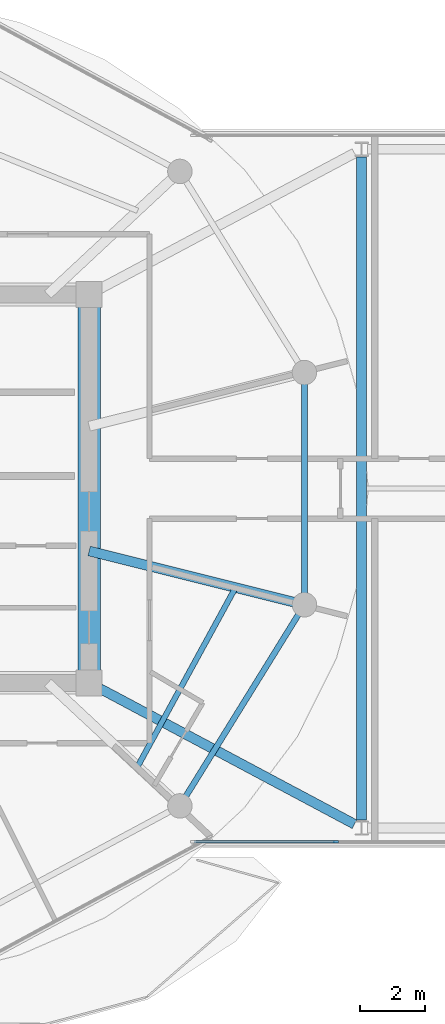
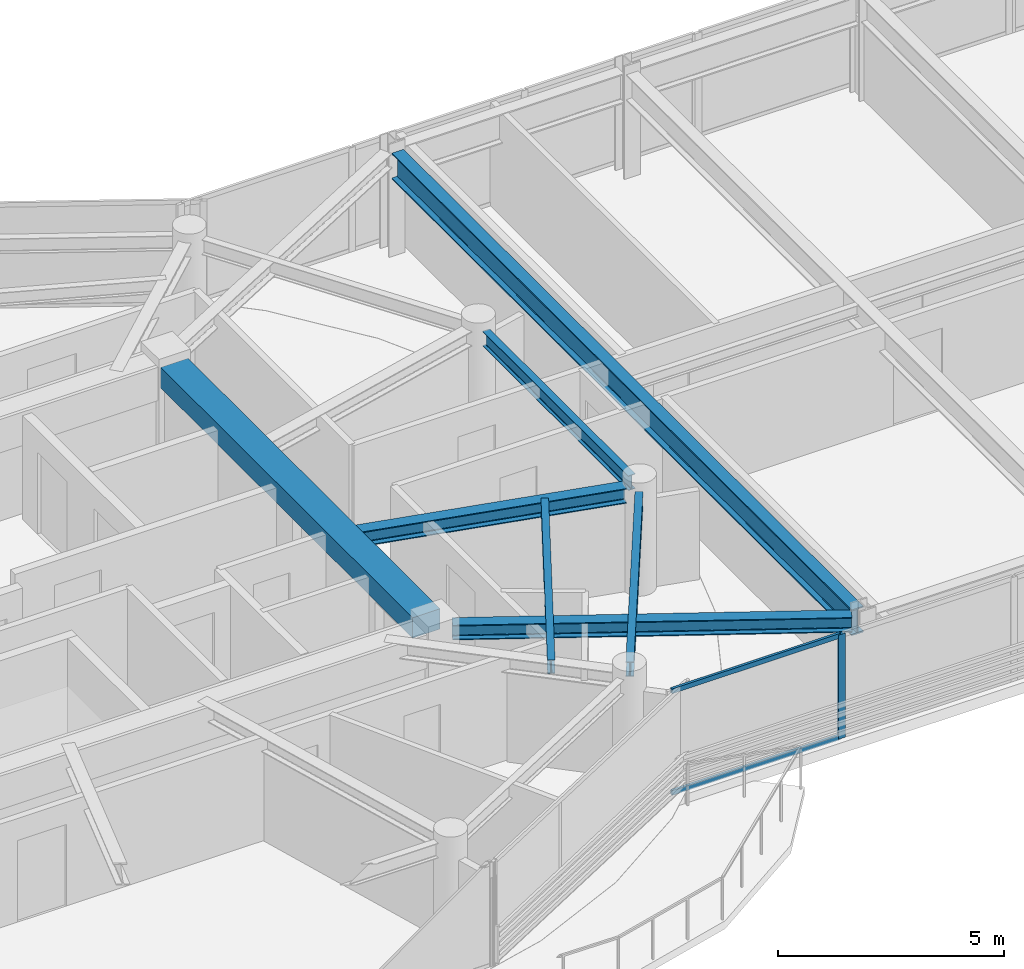
# One storey, part 4 of 23: 7 beams, 3 members, 1 element without a shape of its own.
"""IFC4 building model written with IfcOpenShell, lengths in metres."""

from ifc_helpers import new_model, si_unit, direction, frame, origin, origin_2d, place, context, subcontext, project, spatial, rectangle, i_section, extrude, source, transform, mapped, material, layer, layer_set, material_profile, profile_set, type_object, type_shapes, element, aggregate, save


model = new_model("IFC4")

# Units and contexts
model_context = context("Model", 3, precision=1e-05, world=origin(), true_north=direction((0.0, 1.0)))
body_context = subcontext(model_context, "Body", "Model", "MODEL_VIEW")
ifc_project = project(units=[si_unit("LENGTHUNIT", "METRE"), si_unit("AREAUNIT", "SQUARE_METRE"), si_unit("VOLUMEUNIT", "CUBIC_METRE"), si_unit("PLANEANGLEUNIT", "RADIAN"), si_unit("MASSUNIT", "GRAM", prefix="KILO")], contexts=[model_context])

# Site, building, storey
site_placement = place(None, origin())
site = spatial("IfcSite", under=ifc_project, at=site_placement, CompositionType="ELEMENT")
building_placement = place(site_placement, origin())
building = spatial("IfcBuilding", under=site, at=building_placement, Name="Norrkilde Senior Care Towers", CompositionType="ELEMENT")
storey_placement = place(building_placement, frame((0.0, 0.0, 229.14990234375)))
storey = spatial("IfcBuildingStorey", under=building, at=storey_placement, Name="L71", CompositionType="ELEMENT", Elevation=229.14990234375)

# Beams
ifc_material_1 = material(Name="Concrete C60/75", Category="concrete")
ifc_material_profile_1 = material_profile(ifc_material_1, rectangle(XDim=0.699951171875, YDim=0.550048828125, at=origin_2d()), Name="RC BM 700x550")
ifc_profile_set_1 = profile_set([ifc_material_profile_1], Name="Concrete C60/75")
beam_type_1 = type_object("IfcBeamType", Name="Core Portal Coupling Beam 700x550", PredefinedType="USERDEFINED", material=ifc_profile_set_1)
shared_shape_1 = source(origin(), body_context, "Body", "SweptSolid", [
    extrude(rectangle(XDim=0.699951171875, YDim=0.550048828125, at=origin_2d()), origin(), (0.0, 0.0, 1.0), 11.14013671875),
])
type_shapes(beam_type_1, [shared_shape_1])
beam_1_placement = place(storey_placement, frame((-20.35009765625, -5.570068359375, 2.53515625), z_axis=(0.0, 1.0, 0.0), x_axis=(-1.0, 0.0, 0.0)))
element("IfcBeam", 1, at=beam_1_placement, inside=storey, type_object=beam_type_1, Name="L71 Core W E Coupling Girder", ObjectType="GIRDER", PredefinedType="USERDEFINED", context=body_context, shape_type="MappedRepresentation", body=[
    mapped(shared_shape_1, transform((0.0, 0.0, 0.0), x_axis=(1.0, 0.0, 0.0), y_axis=(0.0, 1.0, 0.0), z_axis=(0.0, 0.0, 1.0), scale=1.0)),
])
ifc_material_2 = material(Name="Steel S355", Category="steel")
ifc_material_profile_2 = material_profile(ifc_material_2, i_section(OverallWidth=0.179931640625, OverallDepth=0.39990234375, WebThickness=0.008544921875, FlangeThickness=0.013427734375, FilletRadius=0.02099609375, at=origin_2d()), Name="IPE 400")
ifc_profile_set_2 = profile_set([ifc_material_profile_2], Name="Steel S355")
beam_type_2 = type_object("IfcBeamType", Name="Perimeter Ring Spandrel Z4 IPE400", PredefinedType="SPANDREL", material=ifc_profile_set_2)
shared_shape_2 = source(origin(), body_context, "Body", "SweptSolid", [
    extrude(i_section(OverallWidth=0.179931640625, OverallDepth=0.39990234375, WebThickness=0.008544921875, FlangeThickness=0.013427734375, FilletRadius=0.02099609375, at=origin_2d()), origin(), (0.0, 0.0, 1.0), 6.58056640625),
])
beam_2_placement = place(storey_placement, frame((-17.393798828125, -9.43798828125, 2.610107421875), z_axis=(0.526529583789, 0.850156807533, 0.0), x_axis=(-0.850156807533, 0.526529583789, 0.0)))
element("IfcBeam", 2, at=beam_2_placement, inside=storey, type_object=beam_type_2, Name="L71 Drum W Perimeter Spandrel 11", PredefinedType="SPANDREL", context=body_context, shape_type="MappedRepresentation", body=[
    mapped(shared_shape_2, transform((0.0, 0.0, 0.0), x_axis=(1.0, 0.0, 0.0), y_axis=(0.0, 1.0, 0.0), z_axis=(0.0, 0.0, 1.0), scale=1.0)),
])
ifc_material_profile_3 = material_profile(ifc_material_2, i_section(OverallWidth=0.300048828125, OverallDepth=0.39990234375, WebThickness=0.013427734375, FlangeThickness=0.02392578125, FilletRadius=0.027099609375, at=origin_2d()), Name="HEB 400")
ifc_profile_set_3 = profile_set([ifc_material_profile_3], Name="Steel S355")
beam_type_3 = type_object("IfcBeamType", Name="Radial Floor Beam Z4 HEB400", PredefinedType="BEAM", material=ifc_profile_set_3)
shared_shape_3 = source(origin(), body_context, "Body", "SweptSolid", [
    extrude(i_section(OverallWidth=0.300048828125, OverallDepth=0.39990234375, WebThickness=0.013427734375, FlangeThickness=0.02392578125, FilletRadius=0.027099609375, at=origin_2d()), origin(), (0.0, 0.0, 1.0), 6.465087890625),
])
beam_3_placement = place(storey_placement, frame((-20.35009765625, -1.910888671875, 2.610107421875), z_axis=(0.970195788563, -0.242322371758, 0.0), x_axis=(0.242322371758, 0.970195788563, 0.0)))
element("IfcBeam", 3, at=beam_3_placement, inside=storey, type_object=beam_type_3, Name="L71 Drum W Radial Floor Beam 12", PredefinedType="BEAM", context=body_context, shape_type="MappedRepresentation", body=[
    mapped(shared_shape_3, transform((0.0, 0.0, 0.0), x_axis=(1.0, 0.0, 0.0), y_axis=(0.0, 1.0, 0.0), z_axis=(0.0, 0.0, 1.0), scale=1.0)),
])
shared_shape_4 = source(origin(), body_context, "Body", "SweptSolid", [
    extrude(i_section(OverallWidth=0.179931640625, OverallDepth=0.39990234375, WebThickness=0.008544921875, FlangeThickness=0.013427734375, FilletRadius=0.02099609375, at=origin_2d()), origin(), (0.0, 0.0, 1.0), 6.44775390625),
])
type_shapes(beam_type_2, [shared_shape_2, shared_shape_4])
beam_4_placement = place(storey_placement, frame((-13.752685546875, -3.223876953125, 2.610107421875), z_axis=(0.0, 1.0, 0.0), x_axis=(-1.0, 0.0, 0.0)))
element("IfcBeam", 4, at=beam_4_placement, inside=storey, type_object=beam_type_2, Name="L71 Drum W Perimeter Spandrel 12", PredefinedType="SPANDREL", context=body_context, shape_type="MappedRepresentation", body=[
    mapped(shared_shape_4, transform((0.0, 0.0, 0.0), x_axis=(1.0, 0.0, 0.0), y_axis=(0.0, 1.0, 0.0), z_axis=(0.0, 0.0, 1.0), scale=1.0)),
])
ifc_material_profile_4 = material_profile(ifc_material_2, i_section(OverallWidth=0.169921875, OverallDepth=0.360107421875, WebThickness=0.008056640625, FlangeThickness=0.0126953125, FilletRadius=0.01806640625, at=origin_2d()), Name="IPE 360")
ifc_profile_set_4 = profile_set([ifc_material_profile_4], Name="Steel S355")
beam_type_4 = type_object("IfcBeamType", Name="Secondary Floor Joist IPE360", PredefinedType="JOIST", material=ifc_profile_set_4)
shared_shape_5 = source(origin(), body_context, "Body", "SweptSolid", [
    extrude(i_section(OverallWidth=0.169921875, OverallDepth=0.360107421875, WebThickness=0.008056640625, FlangeThickness=0.0126953125, FilletRadius=0.01806640625, at=origin_2d()), origin(), (0.0, 0.0, 1.0), 6.25146484375),
])
type_shapes(beam_type_4, [shared_shape_5])
beam_5_placement = place(storey_placement, frame((-18.865234375, -8.515380859375, 2.630126953125), z_axis=(0.480115752653, 0.877205143655, 0.0), x_axis=(-0.877205143655, 0.480115752653, 0.0)))
element("IfcBeam", 5, at=beam_5_placement, inside=storey, type_object=beam_type_4, Name="L71 Drum W Secondary Floor Joist 4", PredefinedType="JOIST", context=body_context, shape_type="MappedRepresentation", body=[
    mapped(shared_shape_5, transform((0.0, 0.0, 0.0), x_axis=(1.0, 0.0, 0.0), y_axis=(0.0, 1.0, 0.0), z_axis=(0.0, 0.0, 1.0), scale=1.0)),
])
ifc_material_profile_5 = material_profile(ifc_material_2, i_section(OverallWidth=0.300048828125, OverallDepth=0.699951171875, WebThickness=0.01708984375, FlangeThickness=0.031982421875, FilletRadius=0.027099609375, at=origin_2d()), Name="HEB 700")
ifc_profile_set_5 = profile_set([ifc_material_profile_5], Name="Steel S355")
beam_type_5 = type_object("IfcBeamType", Name="Bridge Cross Girder HEB700", PredefinedType="USERDEFINED", material=ifc_profile_set_5)
shared_shape_6 = source(origin(), body_context, "Body", "SweptSolid", [
    extrude(i_section(OverallWidth=0.300048828125, OverallDepth=0.699951171875, WebThickness=0.01708984375, FlangeThickness=0.031982421875, FilletRadius=0.027099609375, at=origin_2d()), origin(), (0.0, 0.0, 1.0), 20.31982421875),
])
type_shapes(beam_type_5, [shared_shape_6])
beam_6_placement = place(storey_placement, frame((-12.0, -10.159912109375, 2.460205078125), z_axis=(0.0, 1.0, 0.0), x_axis=(-1.0, 0.0, 0.0)))
element("IfcBeam", 6, at=beam_6_placement, inside=storey, type_object=beam_type_5, Name="L71 Sky-Gate Bridge Cross Girder -12", ObjectType="GIRDER", PredefinedType="USERDEFINED", context=body_context, shape_type="MappedRepresentation", body=[
    mapped(shared_shape_6, transform((0.0, 0.0, 0.0), x_axis=(1.0, 0.0, 0.0), y_axis=(0.0, 1.0, 0.0), z_axis=(0.0, 0.0, 1.0), scale=1.0)),
])
shared_shape_7 = source(origin(), body_context, "Body", "SweptSolid", [
    extrude(i_section(OverallWidth=0.300048828125, OverallDepth=0.39990234375, WebThickness=0.013427734375, FlangeThickness=0.02392578125, FilletRadius=0.027099609375, at=origin_2d()), origin(), (0.0, 0.0, 1.0), 8.831787109375),
])
type_shapes(beam_type_3, [shared_shape_3, shared_shape_7])
beam_7_placement = place(storey_placement, frame((-20.0146484375, -6.128662109375, 2.610107421875), z_axis=(0.882492172381, -0.470327083727, 0.0), x_axis=(0.470327083727, 0.882492172381, 0.0)))
element("IfcBeam", 7, at=beam_7_placement, inside=storey, type_object=beam_type_3, Name="L71 Sky-Gate Bridge Girder S1", PredefinedType="BEAM", context=body_context, shape_type="MappedRepresentation", body=[
    mapped(shared_shape_7, transform((0.0, 0.0, 0.0), x_axis=(1.0, 0.0, 0.0), y_axis=(0.0, 1.0, 0.0), z_axis=(0.0, 0.0, 1.0), scale=1.0)),
])

# Curtain wall, members
ifc_material_3 = material(Name="Triple Low-E Insulated Glazing", Category="glass")
ifc_layer = layer(ifc_material_3, 0.2099609375)
ifc_layer_set = layer_set([ifc_layer], Name="Triple Low-E Insulated Glazing")
curtain_wall_type = type_object("IfcCurtainWallType", Name="CW5 Sky-Gate Bridge Curtain Wall", PredefinedType="NOTDEFINED", material=ifc_layer_set)
curtain_wall_placement = place(storey_placement, origin())
curtain_wall = element("IfcCurtainWall", 8, at=curtain_wall_placement, inside=storey, type_object=curtain_wall_type, Name="L71 Sky-Gate Bridge South Curtain Wall 3", PredefinedType="NOTDEFINED")
ifc_material_4 = material(Name="Anodised Aluminium", Category="aluminium")
ifc_material_profile_6 = material_profile(ifc_material_4, rectangle(XDim=0.06494140625, YDim=0.1298828125, at=origin_2d()), Name="ALU TRAN 65x130")
ifc_profile_set_6 = profile_set([ifc_material_profile_6], Name="Anodised Aluminium")
member_type_1 = type_object("IfcMemberType", Name="Curtain Wall Transom Heavy 65x130", PredefinedType="USERDEFINED", material=ifc_profile_set_6)
shared_shape_8 = source(origin(), body_context, "Body", "SweptSolid", [
    extrude(rectangle(XDim=0.06494140625, YDim=0.1298828125, at=origin_2d()), origin(), (0.0, 0.0, 1.0), 4.294921875),
])
type_shapes(member_type_1, [shared_shape_8])
member_1_placement = place(storey_placement, frame((-12.8349609375, -10.820068359375, 0.03271484375), z_axis=(-1.0, 0.0, 0.0), x_axis=(0.0, -1.0, 0.0)))
member_1 = element("IfcMember", 9, at=member_1_placement, type_object=member_type_1, Name="CW-5 transom 3.1", ObjectType="TRANSOM", PredefinedType="USERDEFINED", context=body_context, shape_type="MappedRepresentation", body=[
    mapped(shared_shape_8, transform((0.0, 0.0, 0.0), x_axis=(1.0, 0.0, 0.0), y_axis=(0.0, 1.0, 0.0), z_axis=(0.0, 0.0, 1.0), scale=1.0)),
])
member_2_placement = place(storey_placement, frame((-12.8349609375, -10.820068359375, 2.777587890625), z_axis=(-1.0, 0.0, 0.0), x_axis=(0.0, -1.0, 0.0)))
member_2 = element("IfcMember", 10, at=member_2_placement, type_object=member_type_1, Name="CW-5 transom 3.2", ObjectType="TRANSOM", PredefinedType="USERDEFINED", context=body_context, shape_type="MappedRepresentation", body=[
    mapped(shared_shape_8, transform((0.0, 0.0, 0.0), x_axis=(1.0, 0.0, 0.0), y_axis=(0.0, 1.0, 0.0), z_axis=(0.0, 0.0, 1.0), scale=1.0)),
])
ifc_material_profile_7 = material_profile(ifc_material_4, rectangle(XDim=0.070068359375, YDim=0.169921875, at=origin_2d()), Name="ALU MULL 70x170")
ifc_profile_set_7 = profile_set([ifc_material_profile_7], Name="Anodised Aluminium")
member_type_2 = type_object("IfcMemberType", Name="Curtain Wall Mullion Heavy 70x170", PredefinedType="MULLION", material=ifc_profile_set_7)
shared_shape_9 = source(origin(), body_context, "Body", "SweptSolid", [
    extrude(rectangle(XDim=0.070068359375, YDim=0.169921875, at=origin_2d()), origin(), (0.0, 0.0, 1.0), 2.81005859375),
])
type_shapes(member_type_2, [shared_shape_9])
member_3_placement = place(storey_placement, frame((-12.800048828125, -10.820068359375, 0.0), z_axis=(0.0, 0.0, 1.0), x_axis=(0.0, -1.0, 0.0)))
member_3 = element("IfcMember", 11, at=member_3_placement, type_object=member_type_2, Name="CW-5 mullion 3", PredefinedType="MULLION", context=body_context, shape_type="MappedRepresentation", body=[
    mapped(shared_shape_9, transform((0.0, 0.0, 0.0), x_axis=(1.0, 0.0, 0.0), y_axis=(0.0, 1.0, 0.0), z_axis=(0.0, 0.0, 1.0), scale=1.0)),
])
aggregate(curtain_wall, [member_3, member_1, member_2])

save(model, "model.ifc")
